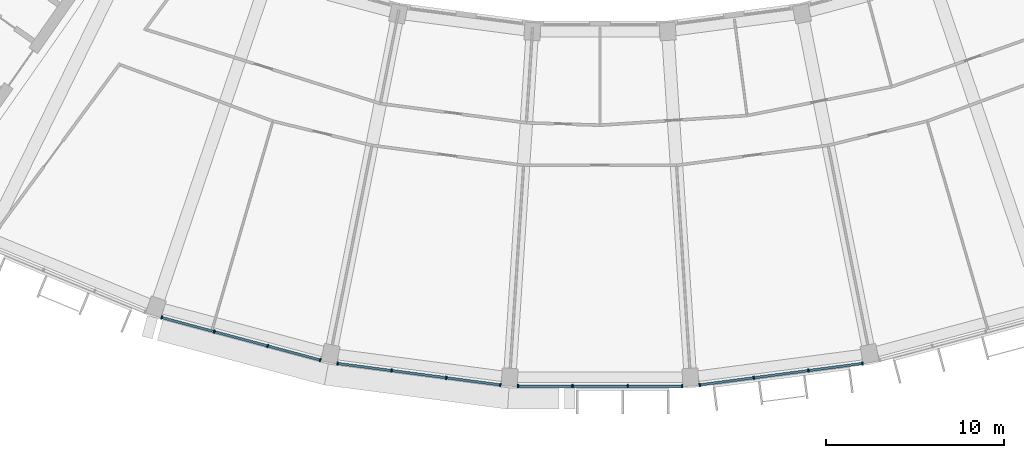
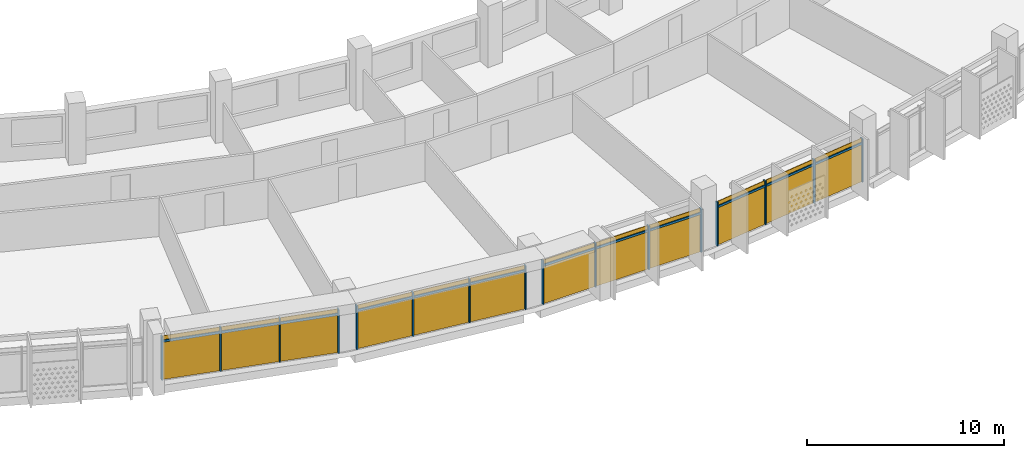
# One storey, part 19 of 27: 28 members, 4 curtain walls.
"""IFC4 building model written with IfcOpenShell, lengths in metres."""

from ifc_helpers import new_model, si_unit, direction, frame, origin, origin_2d, place, context, subcontext, project, spatial, rectangle, extrude, material, material_profile, profile_set, type_object, element, aggregate, save


model = new_model("IFC4")

# Units and contexts
model_context = context("Model", 3, precision=1e-05, world=origin(), true_north=direction((0.0, 1.0)))
body_context = subcontext(model_context, "Body", "Model", "MODEL_VIEW")
ifc_project = project(units=[si_unit("LENGTHUNIT", "METRE"), si_unit("AREAUNIT", "SQUARE_METRE"), si_unit("VOLUMEUNIT", "CUBIC_METRE"), si_unit("PLANEANGLEUNIT", "RADIAN"), si_unit("MASSUNIT", "GRAM", prefix="KILO")], contexts=[model_context])

# Member
ifc_material = material(Name="Aluminium 6063-T6 anodised", Category="aluminium")
ifc_material_profile_1 = material_profile(ifc_material, rectangle(XDim=0.199951171875, YDim=0.070068359375, at=origin_2d()))
ifc_profile_set_1 = profile_set([ifc_material_profile_1], Name="Aluminium 6063-T6 anodised")
member_type_1 = type_object("IfcMemberType", Name="Mullion 70 x 200 aluminium", PredefinedType="MULLION", material=ifc_profile_set_1)
site_placement = place(None, origin())
building_placement = place(site_placement, origin())
storey_placement = place(building_placement, frame((0.0, 0.0, 280.89990234375)))
member_1_placement = place(storey_placement, frame((-24.676025390625, -74.224853515625, 0.0), z_axis=(0.0, 0.0, 1.0), x_axis=(0.258819045103, 0.965925826289, 0.0)))
member_1 = element("IfcMember", 1, at=member_1_placement, type_object=member_type_1, Name="e-cw1-L68-out05/M00", PredefinedType="MULLION", context=body_context, shape_type="SweptSolid", body=[
    extrude(rectangle(XDim=0.199951171875, YDim=0.070068359375, at=origin_2d()), origin(), (0.0, 0.0, 1.0), 2.7001953125),
])

member_2_placement = place(storey_placement, frame((-21.70947265625, -75.019775390625, 0.0), z_axis=(0.0, 0.0, 1.0), x_axis=(0.258819045103, 0.965925826289, 0.0)))
member_2 = element("IfcMember", 2, at=member_2_placement, type_object=member_type_1, Name="e-cw1-L68-out05/M01", PredefinedType="MULLION", context=body_context, shape_type="SweptSolid", body=[
    extrude(rectangle(XDim=0.199951171875, YDim=0.070068359375, at=origin_2d()), origin(), (0.0, 0.0, 1.0), 2.7001953125),
])

member_3_placement = place(storey_placement, frame((-18.708984375, -75.82373046875, 0.0), z_axis=(0.0, 0.0, 1.0), x_axis=(0.258819045103, 0.965925826289, 0.0)))
member_3 = element("IfcMember", 3, at=member_3_placement, type_object=member_type_1, Name="e-cw1-L68-out05/M02", PredefinedType="MULLION", context=body_context, shape_type="SweptSolid", body=[
    extrude(rectangle(XDim=0.199951171875, YDim=0.070068359375, at=origin_2d()), origin(), (0.0, 0.0, 1.0), 2.7001953125),
])

member_4_placement = place(storey_placement, frame((-15.742431640625, -76.618408203125, 0.0), z_axis=(0.0, 0.0, 1.0), x_axis=(0.258819045103, 0.965925826289, 0.0)))
member_4 = element("IfcMember", 4, at=member_4_placement, type_object=member_type_1, Name="e-cw1-L68-out05/M03", PredefinedType="MULLION", context=body_context, shape_type="SweptSolid", body=[
    extrude(rectangle(XDim=0.199951171875, YDim=0.070068359375, at=origin_2d()), origin(), (0.0, 0.0, 1.0), 2.7001953125),
])

member_5_placement = place(storey_placement, frame((-14.776611328125, -76.810546875, 0.0), z_axis=(0.0, 0.0, 1.0), x_axis=(0.13052619222, 0.991444861374, 0.0)))
member_5 = element("IfcMember", 5, at=member_5_placement, type_object=member_type_1, Name="e-cw1-L68-out06/M00", PredefinedType="MULLION", context=body_context, shape_type="SweptSolid", body=[
    extrude(rectangle(XDim=0.199951171875, YDim=0.070068359375, at=origin_2d()), origin(), (0.0, 0.0, 1.0), 2.7001953125),
])

member_6_placement = place(storey_placement, frame((-11.731689453125, -77.21142578125, 0.0), z_axis=(0.0, 0.0, 1.0), x_axis=(0.13052619222, 0.991444861374, 0.0)))
member_6 = element("IfcMember", 6, at=member_6_placement, type_object=member_type_1, Name="e-cw1-L68-out06/M01", PredefinedType="MULLION", context=body_context, shape_type="SweptSolid", body=[
    extrude(rectangle(XDim=0.199951171875, YDim=0.070068359375, at=origin_2d()), origin(), (0.0, 0.0, 1.0), 2.7001953125),
])

member_7_placement = place(storey_placement, frame((-8.65185546875, -77.616943359375, 0.0), z_axis=(0.0, 0.0, 1.0), x_axis=(0.13052619222, 0.991444861374, 0.0)))
member_7 = element("IfcMember", 7, at=member_7_placement, type_object=member_type_1, Name="e-cw1-L68-out06/M02", PredefinedType="MULLION", context=body_context, shape_type="SweptSolid", body=[
    extrude(rectangle(XDim=0.199951171875, YDim=0.070068359375, at=origin_2d()), origin(), (0.0, 0.0, 1.0), 2.7001953125),
])

member_8_placement = place(storey_placement, frame((-5.60693359375, -78.017822265625, 0.0), z_axis=(0.0, 0.0, 1.0), x_axis=(0.13052619222, 0.991444861374, 0.0)))
member_8 = element("IfcMember", 8, at=member_8_placement, type_object=member_type_1, Name="e-cw1-L68-out06/M03", PredefinedType="MULLION", context=body_context, shape_type="SweptSolid", body=[
    extrude(rectangle(XDim=0.199951171875, YDim=0.070068359375, at=origin_2d()), origin(), (0.0, 0.0, 1.0), 2.7001953125),
])

member_9_placement = place(storey_placement, frame((-4.624267578125, -78.082275390625, 0.0), z_axis=(0.0, 0.0, 1.0), x_axis=(0.0, 1.0, 0.0)))
member_9 = element("IfcMember", 9, at=member_9_placement, type_object=member_type_1, Name="e-cw1-L68-out07/M00", PredefinedType="MULLION", context=body_context, shape_type="SweptSolid", body=[
    extrude(rectangle(XDim=0.199951171875, YDim=0.070068359375, at=origin_2d()), origin(), (0.0, 0.0, 1.0), 2.7001953125),
])

member_10_placement = place(storey_placement, frame((-1.55322265625, -78.082275390625, 0.0), z_axis=(0.0, 0.0, 1.0), x_axis=(0.0, 1.0, 0.0)))
member_10 = element("IfcMember", 10, at=member_10_placement, type_object=member_type_1, Name="e-cw1-L68-out07/M01", PredefinedType="MULLION", context=body_context, shape_type="SweptSolid", body=[
    extrude(rectangle(XDim=0.199951171875, YDim=0.070068359375, at=origin_2d()), origin(), (0.0, 0.0, 1.0), 2.7001953125),
])

member_11_placement = place(storey_placement, frame((1.55322265625, -78.082275390625, 0.0), z_axis=(0.0, 0.0, 1.0), x_axis=(0.0, 1.0, 0.0)))
member_11 = element("IfcMember", 11, at=member_11_placement, type_object=member_type_1, Name="e-cw1-L68-out07/M02", PredefinedType="MULLION", context=body_context, shape_type="SweptSolid", body=[
    extrude(rectangle(XDim=0.199951171875, YDim=0.070068359375, at=origin_2d()), origin(), (0.0, 0.0, 1.0), 2.7001953125),
])

member_12_placement = place(storey_placement, frame((4.624267578125, -78.082275390625, 0.0), z_axis=(0.0, 0.0, 1.0), x_axis=(0.0, 1.0, 0.0)))
member_12 = element("IfcMember", 12, at=member_12_placement, type_object=member_type_1, Name="e-cw1-L68-out07/M03", PredefinedType="MULLION", context=body_context, shape_type="SweptSolid", body=[
    extrude(rectangle(XDim=0.199951171875, YDim=0.070068359375, at=origin_2d()), origin(), (0.0, 0.0, 1.0), 2.7001953125),
])

member_13_placement = place(storey_placement, frame((5.60693359375, -78.017822265625, 0.0), z_axis=(0.0, 0.0, 1.0), x_axis=(-0.13052619222, 0.991444861374, 0.0)))
member_13 = element("IfcMember", 13, at=member_13_placement, type_object=member_type_1, Name="e-cw1-L68-out08/M00", PredefinedType="MULLION", context=body_context, shape_type="SweptSolid", body=[
    extrude(rectangle(XDim=0.199951171875, YDim=0.070068359375, at=origin_2d()), origin(), (0.0, 0.0, 1.0), 2.7001953125),
])

member_14_placement = place(storey_placement, frame((8.65185546875, -77.616943359375, 0.0), z_axis=(0.0, 0.0, 1.0), x_axis=(-0.13052619222, 0.991444861374, 0.0)))
member_14 = element("IfcMember", 14, at=member_14_placement, type_object=member_type_1, Name="e-cw1-L68-out08/M01", PredefinedType="MULLION", context=body_context, shape_type="SweptSolid", body=[
    extrude(rectangle(XDim=0.199951171875, YDim=0.070068359375, at=origin_2d()), origin(), (0.0, 0.0, 1.0), 2.7001953125),
])

member_15_placement = place(storey_placement, frame((11.731689453125, -77.21142578125, 0.0), z_axis=(0.0, 0.0, 1.0), x_axis=(-0.13052619222, 0.991444861374, 0.0)))
member_15 = element("IfcMember", 15, at=member_15_placement, type_object=member_type_1, Name="e-cw1-L68-out08/M02", PredefinedType="MULLION", context=body_context, shape_type="SweptSolid", body=[
    extrude(rectangle(XDim=0.199951171875, YDim=0.070068359375, at=origin_2d()), origin(), (0.0, 0.0, 1.0), 2.7001953125),
])

member_16_placement = place(storey_placement, frame((14.776611328125, -76.810546875, 0.0), z_axis=(0.0, 0.0, 1.0), x_axis=(-0.13052619222, 0.991444861374, 0.0)))
member_16 = element("IfcMember", 16, at=member_16_placement, type_object=member_type_1, Name="e-cw1-L68-out08/M03", PredefinedType="MULLION", context=body_context, shape_type="SweptSolid", body=[
    extrude(rectangle(XDim=0.199951171875, YDim=0.070068359375, at=origin_2d()), origin(), (0.0, 0.0, 1.0), 2.7001953125),
])

ifc_material_profile_2 = material_profile(ifc_material, rectangle(XDim=0.139892578125, YDim=0.1201171875, at=origin_2d()))
ifc_profile_set_2 = profile_set([ifc_material_profile_2], Name="Aluminium 6063-T6 anodised")
member_type_2 = type_object("IfcMemberType", Name="Transom 120 x 140 aluminium", PredefinedType="USERDEFINED", material=ifc_profile_set_2)
member_17_placement = place(storey_placement, frame((-24.64208984375, -74.23388671875, 2.400146484375), z_axis=(0.965918275034, -0.258847225127, 0.0), x_axis=(0.258847225127, 0.965918275034, 0.0)))
member_17 = element("IfcMember", 17, at=member_17_placement, type_object=member_type_2, Name="e-cw1-L68-out05/T00", ObjectType="TRANSOM", PredefinedType="USERDEFINED", context=body_context, shape_type="SweptSolid", body=[
    extrude(rectangle(XDim=0.139892578125, YDim=0.1201171875, at=origin_2d()), origin(), (0.0, 0.0, 1.0), 3.001220703125),
])

member_18_placement = place(storey_placement, frame((-21.675537109375, -75.02880859375, 2.400146484375), z_axis=(0.965943386189, -0.258753501769, 0.0), x_axis=(0.258753501769, 0.965943386189, 0.0)))
member_18 = element("IfcMember", 18, at=member_18_placement, type_object=member_type_2, Name="e-cw1-L68-out05/T01", ObjectType="TRANSOM", PredefinedType="USERDEFINED", context=body_context, shape_type="SweptSolid", body=[
    extrude(rectangle(XDim=0.139892578125, YDim=0.1201171875, at=origin_2d()), origin(), (0.0, 0.0, 1.0), 3.036376953125),
])

member_19_placement = place(storey_placement, frame((-18.67529296875, -75.832763671875, 2.400146484375), z_axis=(0.965944058071, -0.258750993577, 0.0), x_axis=(0.258750993577, 0.965944058071, 0.0)))
member_19 = element("IfcMember", 19, at=member_19_placement, type_object=member_type_2, Name="e-cw1-L68-out05/T02", ObjectType="TRANSOM", PredefinedType="USERDEFINED", context=body_context, shape_type="SweptSolid", body=[
    extrude(rectangle(XDim=0.139892578125, YDim=0.1201171875, at=origin_2d()), origin(), (0.0, 0.0, 1.0), 3.00146484375),
])

member_20_placement = place(storey_placement, frame((-14.741943359375, -76.815185546875, 2.400146484375), z_axis=(0.991440446253, -0.13055972401, 0.0), x_axis=(0.13055972401, 0.991440446253, 0.0)))
member_20 = element("IfcMember", 20, at=member_20_placement, type_object=member_type_2, Name="e-cw1-L68-out06/T00", ObjectType="TRANSOM", PredefinedType="USERDEFINED", context=body_context, shape_type="SweptSolid", body=[
    extrude(rectangle(XDim=0.139892578125, YDim=0.1201171875, at=origin_2d()), origin(), (0.0, 0.0, 1.0), 3.001220703125),
])

member_21_placement = place(storey_placement, frame((-11.697021484375, -77.216064453125, 2.400146484375), z_axis=(0.991447725786, -0.130504433005, 0.0), x_axis=(0.130504433005, 0.991447725786, 0.0)))
member_21 = element("IfcMember", 21, at=member_21_placement, type_object=member_type_2, Name="e-cw1-L68-out06/T01", ObjectType="TRANSOM", PredefinedType="USERDEFINED", context=body_context, shape_type="SweptSolid", body=[
    extrude(rectangle(XDim=0.139892578125, YDim=0.1201171875, at=origin_2d()), origin(), (0.0, 0.0, 1.0), 3.0361328125),
])

member_22_placement = place(storey_placement, frame((-8.6171875, -77.62158203125, 2.400146484375), z_axis=(0.991450972696, -0.130479763719, 0.0), x_axis=(0.130479763719, 0.991450972696, 0.0)))
member_22 = element("IfcMember", 22, at=member_22_placement, type_object=member_type_2, Name="e-cw1-L68-out06/T02", ObjectType="TRANSOM", PredefinedType="USERDEFINED", context=body_context, shape_type="SweptSolid", body=[
    extrude(rectangle(XDim=0.139892578125, YDim=0.1201171875, at=origin_2d()), origin(), (0.0, 0.0, 1.0), 3.001220703125),
])

member_23_placement = place(storey_placement, frame((-4.58935546875, -78.082275390625, 2.400146484375), z_axis=(1.0, 0.0, 0.0), x_axis=(0.0, 1.0, 0.0)))
member_23 = element("IfcMember", 23, at=member_23_placement, type_object=member_type_2, Name="e-cw1-L68-out07/T00", ObjectType="TRANSOM", PredefinedType="USERDEFINED", context=body_context, shape_type="SweptSolid", body=[
    extrude(rectangle(XDim=0.139892578125, YDim=0.1201171875, at=origin_2d()), origin(), (0.0, 0.0, 1.0), 3.001220703125),
])

member_24_placement = place(storey_placement, frame((-1.51806640625, -78.082275390625, 2.400146484375), z_axis=(1.0, 0.0, 0.0), x_axis=(0.0, 1.0, 0.0)))
member_24 = element("IfcMember", 24, at=member_24_placement, type_object=member_type_2, Name="e-cw1-L68-out07/T01", ObjectType="TRANSOM", PredefinedType="USERDEFINED", context=body_context, shape_type="SweptSolid", body=[
    extrude(rectangle(XDim=0.139892578125, YDim=0.1201171875, at=origin_2d()), origin(), (0.0, 0.0, 1.0), 3.0361328125),
])

member_25_placement = place(storey_placement, frame((1.588134765625, -78.082275390625, 2.400146484375), z_axis=(1.0, 0.0, 0.0), x_axis=(0.0, 1.0, 0.0)))
member_25 = element("IfcMember", 25, at=member_25_placement, type_object=member_type_2, Name="e-cw1-L68-out07/T02", ObjectType="TRANSOM", PredefinedType="USERDEFINED", context=body_context, shape_type="SweptSolid", body=[
    extrude(rectangle(XDim=0.139892578125, YDim=0.1201171875, at=origin_2d()), origin(), (0.0, 0.0, 1.0), 3.001220703125),
])

member_26_placement = place(storey_placement, frame((5.6416015625, -78.01318359375, 2.400146484375), z_axis=(0.991450972696, 0.130479763719, 0.0), x_axis=(-0.130479763719, 0.991450972696, 0.0)))
member_26 = element("IfcMember", 26, at=member_26_placement, type_object=member_type_2, Name="e-cw1-L68-out08/T00", ObjectType="TRANSOM", PredefinedType="USERDEFINED", context=body_context, shape_type="SweptSolid", body=[
    extrude(rectangle(XDim=0.139892578125, YDim=0.1201171875, at=origin_2d()), origin(), (0.0, 0.0, 1.0), 3.001220703125),
])

member_27_placement = place(storey_placement, frame((8.686767578125, -77.6123046875, 2.400146484375), z_axis=(0.991447725786, 0.130504433005, 0.0), x_axis=(-0.130504433005, 0.991447725786, 0.0)))
member_27 = element("IfcMember", 27, at=member_27_placement, type_object=member_type_2, Name="e-cw1-L68-out08/T01", ObjectType="TRANSOM", PredefinedType="USERDEFINED", context=body_context, shape_type="SweptSolid", body=[
    extrude(rectangle(XDim=0.139892578125, YDim=0.1201171875, at=origin_2d()), origin(), (0.0, 0.0, 1.0), 3.0361328125),
])

member_28_placement = place(storey_placement, frame((11.766357421875, -77.20703125, 2.400146484375), z_axis=(0.991440446253, 0.13055972401, 0.0), x_axis=(-0.13055972401, 0.991440446253, 0.0)))
member_28 = element("IfcMember", 28, at=member_28_placement, type_object=member_type_2, Name="e-cw1-L68-out08/T02", ObjectType="TRANSOM", PredefinedType="USERDEFINED", context=body_context, shape_type="SweptSolid", body=[
    extrude(rectangle(XDim=0.139892578125, YDim=0.1201171875, at=origin_2d()), origin(), (0.0, 0.0, 1.0), 3.001220703125),
])

# Site, building, storey
site = spatial("IfcSite", under=ifc_project, at=site_placement, CompositionType="ELEMENT")
building = spatial("IfcBuilding", under=site, at=building_placement, Name="Qamariyya Broadcast Tower", CompositionType="ELEMENT")
storey = spatial("IfcBuildingStorey", under=building, at=storey_placement, Name="L68", CompositionType="ELEMENT", Elevation=280.89990234375)

# Curtain wall
curtain_wall_type = type_object("IfcCurtainWallType", Name="Unitised curtain wall, anodised aluminium", PredefinedType="NOTDEFINED", material=ifc_material)
curtain_wall_1_placement = place(storey_placement, origin())
curtain_wall_1 = element("IfcCurtainWall", 29, at=curtain_wall_1_placement, inside=storey, type_object=curtain_wall_type, Name="e-cw1-L68-out05", PredefinedType="NOTDEFINED", context=body_context, shape_type="SweptSolid", body=[
    extrude(rectangle(XDim=3.001220703125, YDim=0.031982421875, at=origin_2d()), frame((-23.192626953125, -74.622314453125, 0.0), x_axis=(0.965925949265, -0.258818586151, 0.0)), (0.0, 0.0, 1.0), 2.340087890625),
    extrude(rectangle(XDim=3.001220703125, YDim=0.031982421875, at=origin_2d()), frame((-23.192626953125, -74.622314453125, 2.460205078125), x_axis=(0.965925949265, -0.258818586151, 0.0)), (0.0, 0.0, 1.0), 0.239990234375),
    extrude(rectangle(XDim=3.0361328125, YDim=0.031982421875, at=origin_2d()), frame((-20.208984375, -75.421875, 0.0), x_axis=(0.965925949265, -0.258818586151, 0.0)), (0.0, 0.0, 1.0), 2.340087890625),
    extrude(rectangle(XDim=3.0361328125, YDim=0.031982421875, at=origin_2d()), frame((-20.208984375, -75.421875, 2.460205078125), x_axis=(0.965925949265, -0.258818586151, 0.0)), (0.0, 0.0, 1.0), 0.239990234375),
    extrude(rectangle(XDim=3.001220703125, YDim=0.031982421875, at=origin_2d()), frame((-17.2255859375, -76.22119140625, 0.0), x_axis=(0.965925949265, -0.258818586151, 0.0)), (0.0, 0.0, 1.0), 2.340087890625),
    extrude(rectangle(XDim=3.001220703125, YDim=0.031982421875, at=origin_2d()), frame((-17.2255859375, -76.22119140625, 2.460205078125), x_axis=(0.965925949265, -0.258818586151, 0.0)), (0.0, 0.0, 1.0), 0.239990234375),
])

aggregate(curtain_wall_1, [member_1, member_2, member_3, member_4, member_17, member_18, member_19])

curtain_wall_2_placement = place(storey_placement, origin())
curtain_wall_2 = element("IfcCurtainWall", 30, at=curtain_wall_2_placement, inside=storey, type_object=curtain_wall_type, Name="e-cw1-L68-out06", PredefinedType="NOTDEFINED", context=body_context, shape_type="SweptSolid", body=[
    extrude(rectangle(XDim=3.001220703125, YDim=0.031982421875, at=origin_2d()), frame((-13.254150390625, -77.01123046875, 0.0), x_axis=(0.991445286748, -0.130522961144, 0.0)), (0.0, 0.0, 1.0), 2.340087890625),
    extrude(rectangle(XDim=3.001220703125, YDim=0.031982421875, at=origin_2d()), frame((-13.254150390625, -77.01123046875, 2.460205078125), x_axis=(0.991445286748, -0.130522961144, 0.0)), (0.0, 0.0, 1.0), 0.239990234375),
    extrude(rectangle(XDim=3.0361328125, YDim=0.031982421875, at=origin_2d()), frame((-10.19189453125, -77.414306640625, 0.0), x_axis=(0.991445286748, -0.130522961144, 0.0)), (0.0, 0.0, 1.0), 2.340087890625),
    extrude(rectangle(XDim=3.0361328125, YDim=0.031982421875, at=origin_2d()), frame((-10.19189453125, -77.414306640625, 2.460205078125), x_axis=(0.991445286748, -0.130522961144, 0.0)), (0.0, 0.0, 1.0), 0.239990234375),
    extrude(rectangle(XDim=3.001220703125, YDim=0.031982421875, at=origin_2d()), frame((-7.12939453125, -77.8173828125, 0.0), x_axis=(0.991445286748, -0.130522961144, 0.0)), (0.0, 0.0, 1.0), 2.340087890625),
    extrude(rectangle(XDim=3.001220703125, YDim=0.031982421875, at=origin_2d()), frame((-7.12939453125, -77.8173828125, 2.460205078125), x_axis=(0.991445286748, -0.130522961144, 0.0)), (0.0, 0.0, 1.0), 0.239990234375),
])

aggregate(curtain_wall_2, [member_5, member_6, member_7, member_8, member_20, member_21, member_22])

curtain_wall_3_placement = place(storey_placement, origin())
curtain_wall_3 = element("IfcCurtainWall", 31, at=curtain_wall_3_placement, inside=storey, type_object=curtain_wall_type, Name="e-cw1-L68-out07", PredefinedType="NOTDEFINED", context=body_context, shape_type="SweptSolid", body=[
    extrude(rectangle(XDim=3.001220703125, YDim=0.031982421875, at=origin_2d()), frame((-3.0888671875, -78.082275390625, 0.0), x_axis=(1.0, 0.0, 0.0)), (0.0, 0.0, 1.0), 2.340087890625),
    extrude(rectangle(XDim=3.001220703125, YDim=0.031982421875, at=origin_2d()), frame((-3.0888671875, -78.082275390625, 2.460205078125), x_axis=(1.0, 0.0, 0.0)), (0.0, 0.0, 1.0), 0.239990234375),
    extrude(rectangle(XDim=3.036376953125, YDim=0.031982421875, at=origin_2d()), frame((0.0, -78.082275390625, 0.0), x_axis=(1.0, 0.0, 0.0)), (0.0, 0.0, 1.0), 2.340087890625),
    extrude(rectangle(XDim=3.036376953125, YDim=0.031982421875, at=origin_2d()), frame((0.0, -78.082275390625, 2.460205078125), x_axis=(1.0, 0.0, 0.0)), (0.0, 0.0, 1.0), 0.239990234375),
    extrude(rectangle(XDim=3.001220703125, YDim=0.031982421875, at=origin_2d()), frame((3.0888671875, -78.082275390625, 0.0), x_axis=(1.0, 0.0, 0.0)), (0.0, 0.0, 1.0), 2.340087890625),
    extrude(rectangle(XDim=3.001220703125, YDim=0.031982421875, at=origin_2d()), frame((3.0888671875, -78.082275390625, 2.460205078125), x_axis=(1.0, 0.0, 0.0)), (0.0, 0.0, 1.0), 0.239990234375),
])

aggregate(curtain_wall_3, [member_9, member_10, member_11, member_12, member_23, member_24, member_25])

curtain_wall_4_placement = place(storey_placement, origin())
curtain_wall_4 = element("IfcCurtainWall", 32, at=curtain_wall_4_placement, inside=storey, type_object=curtain_wall_type, Name="e-cw1-L68-out08", PredefinedType="NOTDEFINED", context=body_context, shape_type="SweptSolid", body=[
    extrude(rectangle(XDim=3.001220703125, YDim=0.031982421875, at=origin_2d()), frame((7.12939453125, -77.8173828125, 0.0), x_axis=(0.991445286748, 0.130522961144, 0.0)), (0.0, 0.0, 1.0), 2.340087890625),
    extrude(rectangle(XDim=3.001220703125, YDim=0.031982421875, at=origin_2d()), frame((7.12939453125, -77.8173828125, 2.460205078125), x_axis=(0.991445286748, 0.130522961144, 0.0)), (0.0, 0.0, 1.0), 0.239990234375),
    extrude(rectangle(XDim=3.0361328125, YDim=0.031982421875, at=origin_2d()), frame((10.19189453125, -77.414306640625, 0.0), x_axis=(0.991445286748, 0.130522961144, 0.0)), (0.0, 0.0, 1.0), 2.340087890625),
    extrude(rectangle(XDim=3.0361328125, YDim=0.031982421875, at=origin_2d()), frame((10.19189453125, -77.414306640625, 2.460205078125), x_axis=(0.991445286748, 0.130522961144, 0.0)), (0.0, 0.0, 1.0), 0.239990234375),
    extrude(rectangle(XDim=3.001220703125, YDim=0.031982421875, at=origin_2d()), frame((13.254150390625, -77.01123046875, 0.0), x_axis=(0.991445286748, 0.130522961144, 0.0)), (0.0, 0.0, 1.0), 2.340087890625),
    extrude(rectangle(XDim=3.001220703125, YDim=0.031982421875, at=origin_2d()), frame((13.254150390625, -77.01123046875, 2.460205078125), x_axis=(0.991445286748, 0.130522961144, 0.0)), (0.0, 0.0, 1.0), 0.239990234375),
])

aggregate(curtain_wall_4, [member_13, member_14, member_15, member_16, member_26, member_27, member_28])

save(model, "model.ifc")
